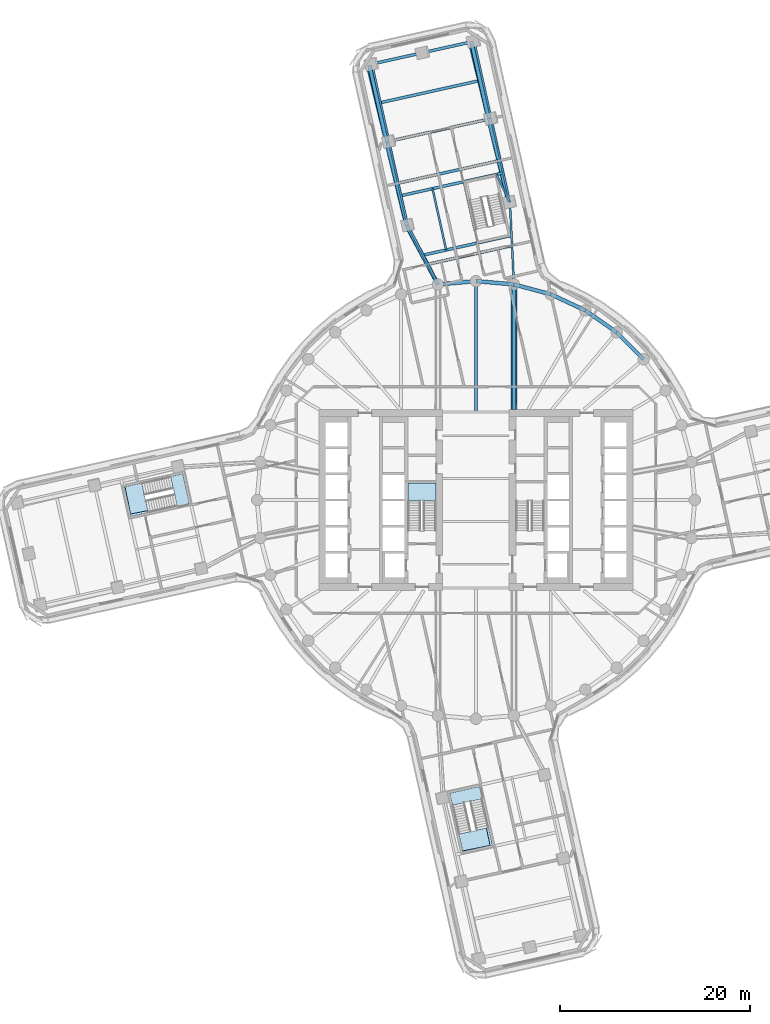
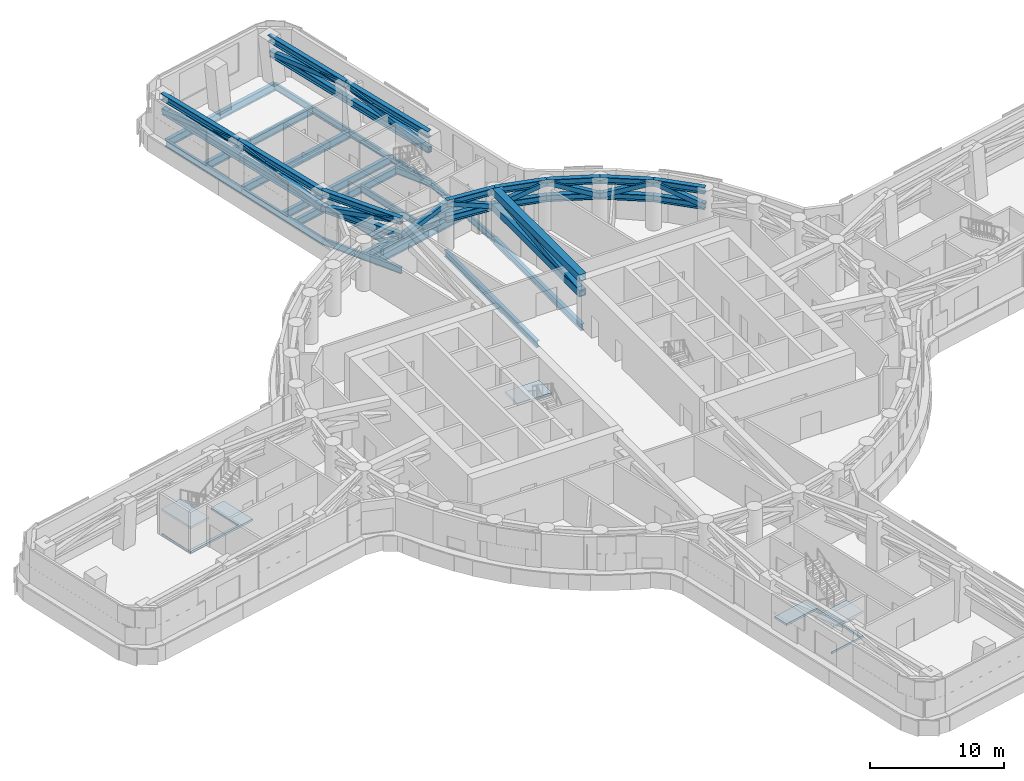
# One storey, part 5 of 22: 34 members, 19 beams, 5 slabs, 3 elements without a shape of their own.
"""IFC4 building model written with IfcOpenShell, lengths in metres."""

from ifc_helpers import new_model, si_unit, direction, frame, origin, origin_2d, place, context, subcontext, project, spatial, polyline, hollow_rectangle, i_section, outline, extrude, material, layer, layer_set, material_profile, profile_set, type_object, element, aggregate, save


model = new_model("IFC4")

# Units and contexts
model_context = context("Model", 3, precision=1e-05, world=origin(), true_north=direction((0.0, 1.0)))
body_context = subcontext(model_context, "Body", "Model", "MODEL_VIEW")
ifc_project = project(units=[si_unit("LENGTHUNIT", "METRE"), si_unit("AREAUNIT", "SQUARE_METRE"), si_unit("VOLUMEUNIT", "CUBIC_METRE"), si_unit("PLANEANGLEUNIT", "RADIAN"), si_unit("MASSUNIT", "GRAM", prefix="KILO")], contexts=[model_context])

# Site, building, storey
site_placement = place(None, origin())
site = spatial("IfcSite", under=ifc_project, at=site_placement, CompositionType="ELEMENT")
building_placement = place(site_placement, origin())
building = spatial("IfcBuilding", under=site, at=building_placement, Name="Tamarind Cross Interchange Tower", CompositionType="ELEMENT")
storey_placement = place(building_placement, frame((0.0, 0.0, 79.0)))
storey = spatial("IfcBuildingStorey", under=building, at=storey_placement, Name="L18", CompositionType="ELEMENT", Elevation=79.0)

# Beams
ifc_material_1 = material(Name="Steel Q355B", Category="steel")
ifc_material_profile_1 = material_profile(ifc_material_1, i_section(OverallWidth=0.302001953125, OverallDepth=0.593994140625, WebThickness=0.013916015625, FlangeThickness=0.02294921875, FilletRadius=0.01806640625, at=origin_2d()), Name="HM 594x302x14x23")
ifc_profile_set_1 = profile_set([ifc_material_profile_1], Name="Steel Q355B")
beam_type_1 = type_object("IfcBeamType", Name="Composite beam HM 594x302x14x23 Q355B", PredefinedType="BEAM", material=ifc_profile_set_1)
beam_1_placement = place(storey_placement, frame((3.993896484375, 22.650634765625, -0.47705078125), z_axis=(0.0, -1.0, 0.0), x_axis=(1.0, 0.0, 0.0)))
element("IfcBeam", 1, at=beam_1_placement, inside=storey, type_object=beam_type_1, Name="Beam HH08", PredefinedType="BEAM", context=body_context, shape_type="SweptSolid", body=[
    extrude(i_section(OverallWidth=0.302001953125, OverallDepth=0.593994140625, WebThickness=0.013916015625, FlangeThickness=0.02294921875, FilletRadius=0.01806640625, at=origin_2d()), origin(), (0.0, 0.0, 1.0), 13.150634765625),
])
beam_2_placement = place(storey_placement, frame((0.0, 23.0, -0.47705078125), z_axis=(0.0, -1.0, 0.0), x_axis=(1.0, 0.0, 0.0)))
element("IfcBeam", 2, at=beam_2_placement, inside=storey, type_object=beam_type_1, Name="Beam HH09", PredefinedType="BEAM", context=body_context, shape_type="SweptSolid", body=[
    extrude(i_section(OverallWidth=0.302001953125, OverallDepth=0.593994140625, WebThickness=0.013916015625, FlangeThickness=0.02294921875, FilletRadius=0.01806640625, at=origin_2d()), origin(), (0.0, 0.0, 1.0), 13.75),
])
ifc_material_profile_2 = material_profile(ifc_material_1, i_section(OverallWidth=0.199951171875, OverallDepth=0.60009765625, WebThickness=0.010986328125, FlangeThickness=0.01708984375, FilletRadius=0.012939453125, at=origin_2d()), Name="HN 600x200x11x17")
ifc_profile_set_2 = profile_set([ifc_material_profile_2], Name="Steel Q355B")
beam_type_2 = type_object("IfcBeamType", Name="Composite beam HN 600x200x11x17 Q355B", PredefinedType="BEAM", material=ifc_profile_set_2)
beam_3_placement = place(storey_placement, frame((-0.1923828125, 48.201171875, -0.47998046875), z_axis=(0.217073407789, -0.97615528254, 0.0), x_axis=(0.97615528254, 0.217073407789, 0.0)))
element("IfcBeam", 3, at=beam_3_placement, inside=storey, type_object=beam_type_2, Name="Beam N-edgeem5", PredefinedType="BEAM", context=body_context, shape_type="SweptSolid", body=[
    extrude(i_section(OverallWidth=0.199951171875, OverallDepth=0.60009765625, WebThickness=0.010986328125, FlangeThickness=0.01708984375, FilletRadius=0.012939453125, at=origin_2d()), origin(), (0.0, 0.0, 1.0), 8.318115234375),
])
beam_4_placement = place(storey_placement, frame((1.61328125, 40.081298828125, -0.47998046875), z_axis=(0.217094171771, -0.976150664899, 0.0), x_axis=(0.976150664899, 0.217094171771, 0.0)))
element("IfcBeam", 4, at=beam_4_placement, inside=storey, type_object=beam_type_2, Name="Beam N-edgeem6", PredefinedType="BEAM", context=body_context, shape_type="SweptSolid", body=[
    extrude(i_section(OverallWidth=0.199951171875, OverallDepth=0.60009765625, WebThickness=0.010986328125, FlangeThickness=0.01708984375, FilletRadius=0.012939453125, at=origin_2d()), origin(), (0.0, 0.0, 1.0), 9.0),
])
beam_5_placement = place(storey_placement, frame((-10.929931640625, 45.813232421875, -0.47998046875), z_axis=(0.217079627174, -0.976153899478, 0.0), x_axis=(0.976153899478, 0.217079627174, 0.0)))
element("IfcBeam", 5, at=beam_5_placement, inside=storey, type_object=beam_type_2, Name="Beam N-edgeep2", PredefinedType="BEAM", context=body_context, shape_type="SweptSolid", body=[
    extrude(i_section(OverallWidth=0.199951171875, OverallDepth=0.60009765625, WebThickness=0.010986328125, FlangeThickness=0.01708984375, FilletRadius=0.012939453125, at=origin_2d()), origin(), (0.0, 0.0, 1.0), 8.31787109375),
])
beam_6_placement = place(storey_placement, frame((-9.124267578125, 37.693603515625, -0.47998046875), z_axis=(0.217068323417, -0.976156413168, 0.0), x_axis=(0.976156413168, 0.217068323417, 0.0)))
element("IfcBeam", 6, at=beam_6_placement, inside=storey, type_object=beam_type_2, Name="Beam N-edgeep3", PredefinedType="BEAM", context=body_context, shape_type="SweptSolid", body=[
    extrude(i_section(OverallWidth=0.199951171875, OverallDepth=0.60009765625, WebThickness=0.010986328125, FlangeThickness=0.01708984375, FilletRadius=0.012939453125, at=origin_2d()), origin(), (0.0, 0.0, 1.0), 9.0),
])
beam_7_placement = place(storey_placement, frame((3.567138671875, 31.2958984375, -0.47998046875), z_axis=(0.049303159662, -0.998783859725, 0.0), x_axis=(0.998783859725, 0.049303159662, 0.0)))
element("IfcBeam", 7, at=beam_7_placement, inside=storey, type_object=beam_type_2, Name="Beam N-linkem", PredefinedType="BEAM", context=body_context, shape_type="SweptSolid", body=[
    extrude(i_section(OverallWidth=0.199951171875, OverallDepth=0.60009765625, WebThickness=0.010986328125, FlangeThickness=0.01708984375, FilletRadius=0.012939453125, at=origin_2d()), origin(), (0.0, 0.0, 1.0), 8.65576171875),
])
beam_8_placement = place(storey_placement, frame((-7.170654296875, 28.908203125, -0.47998046875), z_axis=(0.452674061758, -0.891676058786, 0.0), x_axis=(0.891676058786, 0.452674061758, 0.0)))
element("IfcBeam", 8, at=beam_8_placement, inside=storey, type_object=beam_type_2, Name="Beam N-linkep", PredefinedType="BEAM", context=body_context, shape_type="SweptSolid", body=[
    extrude(i_section(OverallWidth=0.199951171875, OverallDepth=0.60009765625, WebThickness=0.010986328125, FlangeThickness=0.01708984375, FilletRadius=0.012939453125, at=origin_2d()), origin(), (0.0, 0.0, 1.0), 7.017822265625),
])
beam_9_placement = place(storey_placement, frame((3.567138671875, 31.2958984375, -0.47998046875), z_axis=(-0.437294345177, 0.899318439529, 0.0), x_axis=(-0.899318439529, -0.437294345177, 0.0)))
element("IfcBeam", 9, at=beam_9_placement, inside=storey, type_object=beam_type_2, Name="Beam N-tr0", PredefinedType="BEAM", context=body_context, shape_type="SweptSolid", body=[
    extrude(i_section(OverallWidth=0.199951171875, OverallDepth=0.60009765625, WebThickness=0.010986328125, FlangeThickness=0.01708984375, FilletRadius=0.012939453125, at=origin_2d()), origin(), (0.0, 0.0, 1.0), 3.238037109375),
])
for number, where, z_axis, x_axis, name in (
    (10, (0.167236328125, 27.005615234375, -0.47998046875), (-0.217063623667, 0.976157458241, 0.0), (-0.976157458241, -0.217063623667, 0.0), "Beam N-tr1"),
    (11, (-3.127197265625, 26.27294921875, -0.47998046875), (-0.217063623667, 0.976157458241, 0.0), (-0.976157458241, -0.217063623667, 0.0), "Beam N-stripp"),
):
    element("IfcBeam", number, at=place(storey_placement, frame(where, z_axis=z_axis, x_axis=x_axis)), inside=storey, type_object=beam_type_2, Name=name, PredefinedType="BEAM", context=body_context, shape_type="SweptSolid", body=[
        extrude(i_section(OverallWidth=0.199951171875, OverallDepth=0.60009765625, WebThickness=0.010986328125, FlangeThickness=0.01708984375, FilletRadius=0.012939453125, at=origin_2d()), origin(), (0.0, 0.0, 1.0), 6.60009765625),
    ])
ifc_material_profile_3 = material_profile(ifc_material_1, i_section(OverallWidth=0.300048828125, OverallDepth=0.699951171875, WebThickness=0.012939453125, FlangeThickness=0.02392578125, FilletRadius=0.01806640625, at=origin_2d()), Name="HN 700x300x13x24")
ifc_profile_set_3 = profile_set([ifc_material_profile_3], Name="Steel Q355B")
beam_type_3 = type_object("IfcBeamType", Name="Composite beam HN 700x300x13x24 Q355B", PredefinedType="BEAM", material=ifc_profile_set_3)
beam_10_placement = place(storey_placement, frame((-0.1923828125, 48.201171875, -0.530029296875), z_axis=(-0.976157806816, -0.217062056084, 0.0), x_axis=(0.217062056084, -0.976157806816, 0.0)))
element("IfcBeam", 12, at=beam_10_placement, inside=storey, type_object=beam_type_3, Name="Beam N-tip0", PredefinedType="BEAM", context=body_context, shape_type="SweptSolid", body=[
    extrude(i_section(OverallWidth=0.300048828125, OverallDepth=0.699951171875, WebThickness=0.012939453125, FlangeThickness=0.02392578125, FilletRadius=0.01806640625, at=origin_2d()), origin(), (0.0, 0.0, 1.0), 5.5),
])
beam_11_placement = place(storey_placement, frame((-5.561279296875, 47.00732421875, -0.530029296875), z_axis=(-0.976146308195, -0.217113760499, 0.0), x_axis=(0.217113760499, -0.976146308195, 0.0)))
element("IfcBeam", 13, at=beam_11_placement, inside=storey, type_object=beam_type_3, Name="Beam N-tip1", PredefinedType="BEAM", context=body_context, shape_type="SweptSolid", body=[
    extrude(i_section(OverallWidth=0.300048828125, OverallDepth=0.699951171875, WebThickness=0.012939453125, FlangeThickness=0.02392578125, FilletRadius=0.01806640625, at=origin_2d()), origin(), (0.0, 0.0, 1.0), 5.499755859375),
])
beam_12_placement = place(storey_placement, frame((3.73974609375, 27.800048828125, -0.530029296875), z_axis=(-0.976156293183, -0.21706886299, 0.0), x_axis=(0.21706886299, -0.976156293183, 0.0)))
element("IfcBeam", 14, at=beam_12_placement, inside=storey, type_object=beam_type_3, Name="Beam N-x269", PredefinedType="BEAM", context=body_context, shape_type="SweptSolid", body=[
    extrude(i_section(OverallWidth=0.300048828125, OverallDepth=0.699951171875, WebThickness=0.012939453125, FlangeThickness=0.02392578125, FilletRadius=0.01806640625, at=origin_2d()), origin(), (0.0, 0.0, 1.0), 9.525146484375),
])
beam_13_placement = place(storey_placement, frame((2.88330078125, 34.370849609375, -0.530029296875), z_axis=(-0.976153103891, -0.217083204701, 0.0), x_axis=(0.217083204701, -0.976153103891, 0.0)))
element("IfcBeam", 15, at=beam_13_placement, inside=storey, type_object=beam_type_3, Name="Beam N-x334", PredefinedType="BEAM", context=body_context, shape_type="SweptSolid", body=[
    extrude(i_section(OverallWidth=0.300048828125, OverallDepth=0.699951171875, WebThickness=0.012939453125, FlangeThickness=0.02392578125, FilletRadius=0.01806640625, at=origin_2d()), origin(), (0.0, 0.0, 1.0), 11.0),
])
beam_14_placement = place(storey_placement, frame((1.61328125, 40.081298828125, -0.530029296875), z_axis=(-0.976156761069, -0.217066758902, 0.0), x_axis=(0.217066758902, -0.976156761069, 0.0)))
element("IfcBeam", 16, at=beam_14_placement, inside=storey, type_object=beam_type_3, Name="Beam N-x393", PredefinedType="BEAM", context=body_context, shape_type="SweptSolid", body=[
    extrude(i_section(OverallWidth=0.300048828125, OverallDepth=0.699951171875, WebThickness=0.012939453125, FlangeThickness=0.02392578125, FilletRadius=0.01806640625, at=origin_2d()), origin(), (0.0, 0.0, 1.0), 10.999755859375),
])
beam_15_placement = place(storey_placement, frame((3.792236328125, 26.736083984375, -0.530029296875), z_axis=(-0.976155404216, -0.217072860623, 0.0), x_axis=(0.217072860623, -0.976155404216, 0.0)))
element("IfcBeam", 17, at=beam_15_placement, inside=storey, type_object=beam_type_3, Name="Beam N-x258", PredefinedType="BEAM", context=body_context, shape_type="SweptSolid", body=[
    extrude(i_section(OverallWidth=0.300048828125, OverallDepth=0.699951171875, WebThickness=0.012939453125, FlangeThickness=0.02392578125, FilletRadius=0.01806640625, at=origin_2d()), origin(), (0.0, 0.0, 1.0), 9.076171875),
])
beam_16_placement = place(storey_placement, frame((2.59033203125, 35.688720703125, -0.530029296875), z_axis=(-0.976153103891, -0.217083204701, 0.0), x_axis=(0.217083204701, -0.976153103891, 0.0)))
element("IfcBeam", 18, at=beam_16_placement, inside=storey, type_object=beam_type_3, Name="Beam N-x348", PredefinedType="BEAM", context=body_context, shape_type="SweptSolid", body=[
    extrude(i_section(OverallWidth=0.300048828125, OverallDepth=0.699951171875, WebThickness=0.012939453125, FlangeThickness=0.02392578125, FilletRadius=0.01806640625, at=origin_2d()), origin(), (0.0, 0.0, 1.0), 11.0),
])
beam_17_placement = place(storey_placement, frame((0.71044921875, 44.141357421875, -0.530029296875), z_axis=(-0.976152057945, -0.217087907932, 0.0), x_axis=(0.217087907932, -0.976152057945, 0.0)))
element("IfcBeam", 19, at=beam_17_placement, inside=storey, type_object=beam_type_3, Name="Beam N-x435", PredefinedType="BEAM", context=body_context, shape_type="SweptSolid", body=[
    extrude(i_section(OverallWidth=0.300048828125, OverallDepth=0.699951171875, WebThickness=0.012939453125, FlangeThickness=0.02392578125, FilletRadius=0.01806640625, at=origin_2d()), origin(), (0.0, 0.0, 1.0), 10.999755859375),
])

# Members
ifc_material_2 = material(Name="Steel Q420B", Category="steel")
ifc_material_profile_4 = material_profile(ifc_material_2, i_section(OverallWidth=0.39990234375, OverallDepth=0.60009765625, WebThickness=0.02490234375, FlangeThickness=0.0400390625, at=origin_2d()), Name="BH 600x400x25x40")
ifc_profile_set_4 = profile_set([ifc_material_profile_4], Name="Steel Q420B")
member_type_1 = type_object("IfcMemberType", Name="Truss chord BH 600x400x25x40 Q420B", PredefinedType="CHORD", material=ifc_profile_set_4)
for number, where, z_axis, x_axis, name in (
    (20, (17.619140625, 14.7841796875, 4.06005859375), (-0.707106781187, 0.707106781187, 0.0), (-0.707106781187, -0.707106781187, 0.0), "Belt truss ring top H04"),
    (21, (17.619140625, 14.7841796875, 2.64990234375), (-0.707106781187, 0.707106781187, 0.0), (-0.707106781187, -0.707106781187, 0.0), "Belt truss ring bottom H04"),
    (22, (14.7841796875, 17.619140625, 4.06005859375), (-0.819157531998, 0.573568599011, 0.0), (-0.573568599011, -0.819157531998, 0.0), "Belt truss ring top H05"),
    (23, (14.7841796875, 17.619140625, 2.64990234375), (-0.819157531998, 0.573568599011, 0.0), (-0.573568599011, -0.819157531998, 0.0), "Belt truss ring bottom H05"),
    (24, (11.5, 19.918701171875, 4.06005859375), (-0.906309113636, 0.422615416827, 0.0), (-0.422615416827, -0.906309113636, 0.0), "Belt truss ring top H06"),
    (25, (11.5, 19.918701171875, 2.64990234375), (-0.906309113636, 0.422615416827, 0.0), (-0.422615416827, -0.906309113636, 0.0), "Belt truss ring bottom H06"),
):
    element("IfcMember", number, at=place(storey_placement, frame(where, z_axis=z_axis, x_axis=x_axis)), inside=storey, type_object=member_type_1, Name=name, PredefinedType="CHORD", context=body_context, shape_type="SweptSolid", body=[
        extrude(i_section(OverallWidth=0.39990234375, OverallDepth=0.60009765625, WebThickness=0.02490234375, FlangeThickness=0.0400390625, at=origin_2d()), origin(), (0.0, 0.0, 1.0), 4.00927734375),
    ])
for number, where, z_axis, x_axis, name in (
    (26, (7.866455078125, 21.613037109375, 4.06005859375), (-0.96592902462, 0.258807108475, 0.0), (-0.258807108475, -0.96592902462, 0.0), "Belt truss ring top H07"),
    (27, (7.866455078125, 21.613037109375, 2.64990234375), (-0.96592902462, 0.258807108475, 0.0), (-0.258807108475, -0.96592902462, 0.0), "Belt truss ring bottom H07"),
    (28, (3.993896484375, 22.650634765625, 4.06005859375), (-0.996195898445, 0.087142021558, 0.0), (-0.087142021558, -0.996195898445, 0.0), "Belt truss ring top H08"),
    (29, (3.993896484375, 22.650634765625, 2.64990234375), (-0.996195898445, 0.087142021558, 0.0), (-0.087142021558, -0.996195898445, 0.0), "Belt truss ring bottom H08"),
):
    element("IfcMember", number, at=place(storey_placement, frame(where, z_axis=z_axis, x_axis=x_axis)), inside=storey, type_object=member_type_1, Name=name, PredefinedType="CHORD", context=body_context, shape_type="SweptSolid", body=[
        extrude(i_section(OverallWidth=0.39990234375, OverallDepth=0.60009765625, WebThickness=0.02490234375, FlangeThickness=0.0400390625, at=origin_2d()), origin(), (0.0, 0.0, 1.0), 4.009033203125),
    ])
member_1_placement = place(storey_placement, frame((-11.33251953125, 45.618408203125, 4.06005859375), z_axis=(0.233659523058, -0.972318480378, 0.0), x_axis=(0.972318480378, 0.233659523058, 0.0)))
element("IfcMember", 30, at=member_1_placement, inside=storey, type_object=member_type_1, Name="Belt truss arm Nep top", PredefinedType="CHORD", context=body_context, shape_type="SweptSolid", body=[
    extrude(i_section(OverallWidth=0.39990234375, OverallDepth=0.60009765625, WebThickness=0.02490234375, FlangeThickness=0.0400390625, at=origin_2d()), origin(), (0.0, 0.0, 1.0), 8.31298828125),
])
member_2_placement = place(storey_placement, frame((-11.19873046875, 45.68310546875, 2.64990234375), z_axis=(0.228158703485, -0.973623955141, 0.0), x_axis=(0.973623955141, 0.228158703485, 0.0)))
element("IfcMember", 31, at=member_2_placement, inside=storey, type_object=member_type_1, Name="Belt truss arm Nep bottom", PredefinedType="CHORD", context=body_context, shape_type="SweptSolid", body=[
    extrude(i_section(OverallWidth=0.39990234375, OverallDepth=0.60009765625, WebThickness=0.02490234375, FlangeThickness=0.0400390625, at=origin_2d()), origin(), (0.0, 0.0, 1.0), 8.314208984375),
])
member_3_placement = place(storey_placement, frame((-9.39013671875, 37.53564453125, 4.06005859375), z_axis=(0.233672529247, -0.972315354746, 0.0), x_axis=(0.972315354746, 0.233672529247, 0.0)))
element("IfcMember", 32, at=member_3_placement, inside=storey, type_object=member_type_1, Name="Belt truss arm Nep top", PredefinedType="CHORD", context=body_context, shape_type="SweptSolid", body=[
    extrude(i_section(OverallWidth=0.39990234375, OverallDepth=0.60009765625, WebThickness=0.02490234375, FlangeThickness=0.0400390625, at=origin_2d()), origin(), (0.0, 0.0, 1.0), 9.0),
])
member_4_placement = place(storey_placement, frame((-9.3017578125, 37.588134765625, 2.64990234375), z_axis=(0.228172839859, -0.973620642319, 0.0), x_axis=(0.973620642319, 0.228172839859, 0.0)))
element("IfcMember", 33, at=member_4_placement, inside=storey, type_object=member_type_1, Name="Belt truss arm Nep bottom", PredefinedType="CHORD", context=body_context, shape_type="SweptSolid", body=[
    extrude(i_section(OverallWidth=0.39990234375, OverallDepth=0.60009765625, WebThickness=0.02490234375, FlangeThickness=0.0400390625, at=origin_2d()), origin(), (0.0, 0.0, 1.0), 8.99951171875),
])
member_5_placement = place(storey_placement, frame((-7.287109375, 28.784912109375, 4.06005859375), z_axis=(0.473001639779, -0.881061546526, 0.0), x_axis=(0.881061546526, 0.473001639779, 0.0)))
element("IfcMember", 34, at=member_5_placement, inside=storey, type_object=member_type_1, Name="Belt truss arm Nep top", PredefinedType="CHORD", context=body_context, shape_type="SweptSolid", body=[
    extrude(i_section(OverallWidth=0.39990234375, OverallDepth=0.60009765625, WebThickness=0.02490234375, FlangeThickness=0.0400390625, at=origin_2d()), origin(), (0.0, 0.0, 1.0), 6.96240234375),
])
member_6_placement = place(storey_placement, frame((-7.248291015625, 28.825927734375, 2.64990234375), z_axis=(0.466222061306, -0.884667728332, 0.0), x_axis=(0.884667728332, 0.466222061306, 0.0)))
element("IfcMember", 35, at=member_6_placement, inside=storey, type_object=member_type_1, Name="Belt truss arm Nep bottom", PredefinedType="CHORD", context=body_context, shape_type="SweptSolid", body=[
    extrude(i_section(OverallWidth=0.39990234375, OverallDepth=0.60009765625, WebThickness=0.02490234375, FlangeThickness=0.0400390625, at=origin_2d()), origin(), (0.0, 0.0, 1.0), 6.98046875),
])
member_7_placement = place(storey_placement, frame((-0.63720703125, 48.188720703125, 4.06005859375), z_axis=(0.233659523058, -0.972318480378, 0.0), x_axis=(0.972318480378, 0.233659523058, 0.0)))
element("IfcMember", 36, at=member_7_placement, inside=storey, type_object=member_type_1, Name="Belt truss arm Nem top", PredefinedType="CHORD", context=body_context, shape_type="SweptSolid", body=[
    extrude(i_section(OverallWidth=0.39990234375, OverallDepth=0.60009765625, WebThickness=0.02490234375, FlangeThickness=0.0400390625, at=origin_2d()), origin(), (0.0, 0.0, 1.0), 8.31298828125),
])
member_8_placement = place(storey_placement, frame((-0.4892578125, 48.19287109375, 2.64990234375), z_axis=(0.228158703485, -0.973623955141, 0.0), x_axis=(0.973623955141, 0.228158703485, 0.0)))
element("IfcMember", 37, at=member_8_placement, inside=storey, type_object=member_type_1, Name="Belt truss arm Nem bottom", PredefinedType="CHORD", context=body_context, shape_type="SweptSolid", body=[
    extrude(i_section(OverallWidth=0.39990234375, OverallDepth=0.60009765625, WebThickness=0.02490234375, FlangeThickness=0.0400390625, at=origin_2d()), origin(), (0.0, 0.0, 1.0), 8.314208984375),
])
member_9_placement = place(storey_placement, frame((1.30517578125, 40.10595703125, 4.06005859375), z_axis=(0.233672529247, -0.972315354746, 0.0), x_axis=(0.972315354746, 0.233672529247, 0.0)))
element("IfcMember", 38, at=member_9_placement, inside=storey, type_object=member_type_1, Name="Belt truss arm Nem top", PredefinedType="CHORD", context=body_context, shape_type="SweptSolid", body=[
    extrude(i_section(OverallWidth=0.39990234375, OverallDepth=0.60009765625, WebThickness=0.02490234375, FlangeThickness=0.0400390625, at=origin_2d()), origin(), (0.0, 0.0, 1.0), 9.0),
])
member_10_placement = place(storey_placement, frame((1.40771484375, 40.097900390625, 2.64990234375), z_axis=(0.228147124068, -0.973626668585, 0.0), x_axis=(0.973626668585, 0.228147124068, 0.0)))
element("IfcMember", 39, at=member_10_placement, inside=storey, type_object=member_type_1, Name="Belt truss arm Nem bottom", PredefinedType="CHORD", context=body_context, shape_type="SweptSolid", body=[
    extrude(i_section(OverallWidth=0.39990234375, OverallDepth=0.60009765625, WebThickness=0.02490234375, FlangeThickness=0.0400390625, at=origin_2d()), origin(), (0.0, 0.0, 1.0), 8.99951171875),
])
ifc_material_profile_5 = material_profile(ifc_material_2, hollow_rectangle(XDim=0.60009765625, YDim=0.60009765625, WallThickness=0.0400390625, at=origin_2d()), Name="BOX 600x600x40")
ifc_profile_set_5 = profile_set([ifc_material_profile_5], Name="Steel Q420B")
member_type_2 = type_object("IfcMemberType", Name="Truss chord BOX 600x600x40 Q420B", PredefinedType="CHORD", material=ifc_profile_set_5)
for number, where, z_axis, x_axis, name in (
    (40, (3.993896484375, 9.5, 4.06005859375), (0.0, 1.0, 0.0), (-1.0, 0.0, 0.0), "Outrigger truss H08 top"),
    (41, (3.993896484375, 9.5, 2.64990234375), (0.0, 1.0, 0.0), (-1.0, 0.0, 0.0), "Outrigger truss H08 bottom"),
):
    element("IfcMember", number, at=place(storey_placement, frame(where, z_axis=z_axis, x_axis=x_axis)), inside=storey, type_object=member_type_2, Name=name, PredefinedType="CHORD", context=body_context, shape_type="SweptSolid", body=[
        extrude(hollow_rectangle(XDim=0.60009765625, YDim=0.60009765625, WallThickness=0.0400390625, at=origin_2d()), origin(), (0.0, 0.0, 1.0), 13.150634765625),
    ])
ifc_material_profile_6 = material_profile(ifc_material_2, hollow_rectangle(XDim=0.39990234375, YDim=0.39990234375, WallThickness=0.02490234375, at=origin_2d()), Name="BOX 400x400x25")
ifc_profile_set_6 = profile_set([ifc_material_profile_6], Name="Steel Q420B")
member_type_3 = type_object("IfcMemberType", Name="Truss diagonal BOX 400x400x25 Q420B", PredefinedType="BRACE", material=ifc_profile_set_6)
for number, where, z_axis, x_axis, name in (
    (42, (17.619140625, 14.7841796875, 2.64990234375), (-0.667048751873, 0.667048751873, 0.331801032623), (-0.707106781187, -0.707106781187, 0.0), "Belt truss ring diagonal H04"),
    (43, (14.7841796875, 17.619140625, 4.06005859375), (-0.772751251109, 0.541075232991, -0.331802797086), (-0.573568599011, -0.819157531998, 0.0), "Belt truss ring diagonal H05"),
    (44, (11.5, 19.918701171875, 2.64990234375), (-0.854964440887, 0.398673198935, 0.33180639727), (-0.422615416827, -0.906309113636, 0.0), "Belt truss ring diagonal H06"),
    (45, (7.866455078125, 21.613037109375, 4.06005859375), (-0.911206410564, 0.244144953026, -0.33180735263), (-0.258807108475, -0.96592902462, 0.0), "Belt truss ring diagonal H07"),
    (46, (3.993896484375, 22.650634765625, 2.64990234375), (-0.939758407255, 0.082205164178, 0.331807846464), (-0.087142021558, -0.996195898445, 0.0), "Belt truss ring diagonal H08"),
    (47, (0.0, 23.0, 4.06005859375), (-0.939758407255, -0.082205164178, -0.331807846464), (0.087142021558, -0.996195898445, 0.0), "Belt truss ring diagonal H09"),
):
    element("IfcMember", number, at=place(storey_placement, frame(where, z_axis=z_axis, x_axis=x_axis)), inside=storey, type_object=member_type_3, Name=name, PredefinedType="BRACE", context=body_context, shape_type="SweptSolid", body=[
        extrude(hollow_rectangle(XDim=0.39990234375, YDim=0.39990234375, WallThickness=0.02490234375, at=origin_2d()), origin(), (0.0, 0.0, 1.0), 4.25),
    ])
member_11_placement = place(storey_placement, frame((-11.19873046875, 45.68310546875, 2.64990234375), z_axis=(0.213678684372, -0.962592475008, 0.166604762545), x_axis=(0.976236593012, 0.216707439801, 0.0)))
element("IfcMember", 48, at=member_11_placement, inside=storey, type_object=member_type_3, Name="Belt truss arm Nep diagonal", PredefinedType="BRACE", context=body_context, shape_type="SweptSolid", body=[
    extrude(hollow_rectangle(XDim=0.39990234375, YDim=0.39990234375, WallThickness=0.02490234375, at=origin_2d()), origin(), (0.0, 0.0, 1.0), 8.464111328125),
])
member_12_placement = place(storey_placement, frame((-9.39013671875, 37.53564453125, 4.06005859375), z_axis=(0.235902099551, -0.959285010999, -0.15531409176), x_axis=(0.971068795834, 0.238799903177, 0.0)))
element("IfcMember", 49, at=member_12_placement, inside=storey, type_object=member_type_3, Name="Belt truss arm Nep diagonal", PredefinedType="BRACE", context=body_context, shape_type="SweptSolid", body=[
    extrude(hollow_rectangle(XDim=0.39990234375, YDim=0.39990234375, WallThickness=0.02490234375, at=origin_2d()), origin(), (0.0, 0.0, 1.0), 9.079345703125),
])
member_13_placement = place(storey_placement, frame((-7.248291015625, 28.825927734375, 2.64990234375), z_axis=(0.456990145343, -0.867149942709, 0.198017635372), x_axis=(0.884667728332, 0.466222061306, 0.0)))
element("IfcMember", 50, at=member_13_placement, inside=storey, type_object=member_type_3, Name="Belt truss arm Nep diagonal", PredefinedType="BRACE", context=body_context, shape_type="SweptSolid", body=[
    extrude(hollow_rectangle(XDim=0.39990234375, YDim=0.39990234375, WallThickness=0.02490234375, at=origin_2d()), origin(), (0.0, 0.0, 1.0), 7.121337890625),
])
member_14_placement = place(storey_placement, frame((-0.4892578125, 48.19287109375, 2.64990234375), z_axis=(0.213552371364, -0.962409353614, 0.167820203673), x_axis=(0.976254972946, 0.216624624174, 0.0)))
element("IfcMember", 51, at=member_14_placement, inside=storey, type_object=member_type_3, Name="Belt truss arm Nem diagonal", PredefinedType="BRACE", context=body_context, shape_type="SweptSolid", body=[
    extrude(hollow_rectangle(XDim=0.39990234375, YDim=0.39990234375, WallThickness=0.02490234375, at=origin_2d()), origin(), (0.0, 0.0, 1.0), 8.40283203125),
])
member_15_placement = place(storey_placement, frame((1.30517578125, 40.10595703125, 4.06005859375), z_axis=(0.235840702233, -0.95946835179, -0.154271335911), x_axis=(0.971093782279, 0.238698274017, 0.0)))
element("IfcMember", 52, at=member_15_placement, inside=storey, type_object=member_type_3, Name="Belt truss arm Nem diagonal", PredefinedType="BRACE", context=body_context, shape_type="SweptSolid", body=[
    extrude(hollow_rectangle(XDim=0.39990234375, YDim=0.39990234375, WallThickness=0.02490234375, at=origin_2d()), origin(), (0.0, 0.0, 1.0), 9.140869140625),
])
ifc_material_profile_7 = material_profile(ifc_material_2, hollow_rectangle(XDim=0.5, YDim=0.5, WallThickness=0.030029296875, at=origin_2d()), Name="BOX 500x500x30")
ifc_profile_set_7 = profile_set([ifc_material_profile_7], Name="Steel Q420B")
member_type_4 = type_object("IfcMemberType", Name="Truss diagonal BOX 500x500x30 Q420B", PredefinedType="BRACE", material=ifc_profile_set_7)
member_16_placement = place(storey_placement, frame((3.993896484375, 9.5, 2.64990234375), z_axis=(0.0, 0.994299862393, 0.106619808877), x_axis=(-1.0, 0.0, 0.0)))
element("IfcMember", 53, at=member_16_placement, inside=storey, type_object=member_type_4, Name="Outrigger truss H08 diagonal", PredefinedType="BRACE", context=body_context, shape_type="SweptSolid", body=[
    extrude(hollow_rectangle(XDim=0.5, YDim=0.5, WallThickness=0.030029296875, at=origin_2d()), origin(), (0.0, 0.0, 1.0), 13.22607421875),
])

# Slabs
ifc_material_3 = material(Name="Concrete C40", Category="concrete")
ifc_layer_1 = layer(ifc_material_3, 0.179931640625)
ifc_layer_set_1 = layer_set([ifc_layer_1], Name="Concrete C40")
slab_type_1 = type_object("IfcSlabType", Name="Composite slab 180 Concrete C40", PredefinedType="FLOOR", material=ifc_layer_set_1)
slab_1_placement = place(storey_placement, frame((0.0, 0.0, -0.179931640625)))
element("IfcSlab", 54, at=slab_1_placement, inside=storey, type_object=slab_type_1, Name="Floor slab L18", PredefinedType="FLOOR", context=body_context, shape_type="SweptSolid", body=[
    extrude(outline(polyline([(-30.113037109375, -0.3701171875), (-30.807861328125, 2.753662109375), (-32.08837890625, 2.468994140625), (-31.430908203125, -0.48876953125), (-36.292236328125, -1.477294921875), (-36.8779296875, 1.40380859375), (-36.95751953125, 1.385986328125), (-36.262939453125, -1.737548828125), (-30.113037109375, -0.3701171875)])), origin(), (0.0, 0.0, 1.0), 0.179931640625),
])
slab_2_placement = place(storey_placement, frame((0.0, 0.0, -0.179931640625)))
element("IfcSlab", 55, at=slab_2_placement, inside=storey, type_object=slab_type_1, Name="Floor slab L18", PredefinedType="FLOOR", context=body_context, shape_type="SweptSolid", body=[
    extrude(outline(polyline([(0.3701171875, -30.113037109375), (-2.753662109375, -30.807861328125), (-2.468994140625, -32.08837890625), (0.48876953125, -31.430908203125), (1.477294921875, -36.292236328125), (-1.40380859375, -36.8779296875), (-1.385986328125, -36.95751953125), (1.737548828125, -36.262939453125), (0.3701171875, -30.113037109375)])), origin(), (0.0, 0.0, 1.0), 0.179931640625),
])

# Stair, slab
ifc_material_4 = material(Name="Exit stair")
stair_type = type_object("IfcStairType", Name="Exit stair", PredefinedType="HALF_TURN_STAIR", material=ifc_material_4)
stair_1_placement = place(storey_placement, origin())
stair_1 = element("IfcStair", 56, at=stair_1_placement, inside=storey, type_object=stair_type, Name="L18 exit stair ST1", PredefinedType="HALF_TURN_STAIR")
ifc_layer_2 = layer(ifc_material_3, 0.199951171875)
ifc_layer_set_2 = layer_set([ifc_layer_2], Name="Concrete C40")
slab_type_2 = type_object("IfcSlabType", Name="Stair landing", PredefinedType="LANDING", material=ifc_layer_set_2)
slab_3_placement = place(storey_placement, frame((0.0, 0.0, 2.050048828125)))
slab_3 = element("IfcSlab", 57, at=slab_3_placement, type_object=slab_type_2, Name="ST1 landing 1", PredefinedType="LANDING", context=body_context, shape_type="SweptSolid", body=[
    extrude(outline(polyline([(-4.199951171875, -0.080078125), (-4.199951171875, 1.800048828125), (-7.14990234375, 1.800048828125), (-7.14990234375, -0.080078125), (-4.199951171875, -0.080078125)])), origin(), (0.0, 0.0, 1.0), 0.199951171875),
])
aggregate(stair_1, [slab_3])

stair_2_placement = place(storey_placement, origin())
stair_2 = element("IfcStair", 58, at=stair_2_placement, inside=storey, type_object=stair_type, Name="L18 exit stair ST5", PredefinedType="HALF_TURN_STAIR")
slab_4_placement = place(storey_placement, frame((0.0, 0.0, 2.050048828125)))
slab_4 = element("IfcSlab", 59, at=slab_4_placement, type_object=slab_type_2, Name="ST5 landing 1", PredefinedType="LANDING", context=body_context, shape_type="SweptSolid", body=[
    extrude(outline(polyline([(-35.110595703125, 1.796875), (-36.95751953125, 1.385986328125), (-36.262939453125, -1.737548828125), (-34.416015625, -1.326904296875), (-35.110595703125, 1.796875)])), origin(), (0.0, 0.0, 1.0), 0.199951171875),
])
aggregate(stair_2, [slab_4])

stair_3_placement = place(storey_placement, origin())
stair_3 = element("IfcStair", 60, at=stair_3_placement, inside=storey, type_object=stair_type, Name="L18 exit stair ST6", PredefinedType="HALF_TURN_STAIR")
slab_5_placement = place(storey_placement, frame((0.0, 0.0, 2.050048828125)))
slab_5 = element("IfcSlab", 61, at=slab_5_placement, type_object=slab_type_2, Name="ST6 landing 1", PredefinedType="LANDING", context=body_context, shape_type="SweptSolid", body=[
    extrude(outline(polyline([(-1.796875, -35.110595703125), (-1.385986328125, -36.95751953125), (1.737548828125, -36.262939453125), (1.326904296875, -34.416015625), (-1.796875, -35.110595703125)])), origin(), (0.0, 0.0, 1.0), 0.199951171875),
])
aggregate(stair_3, [slab_5])

save(model, "model.ifc")
